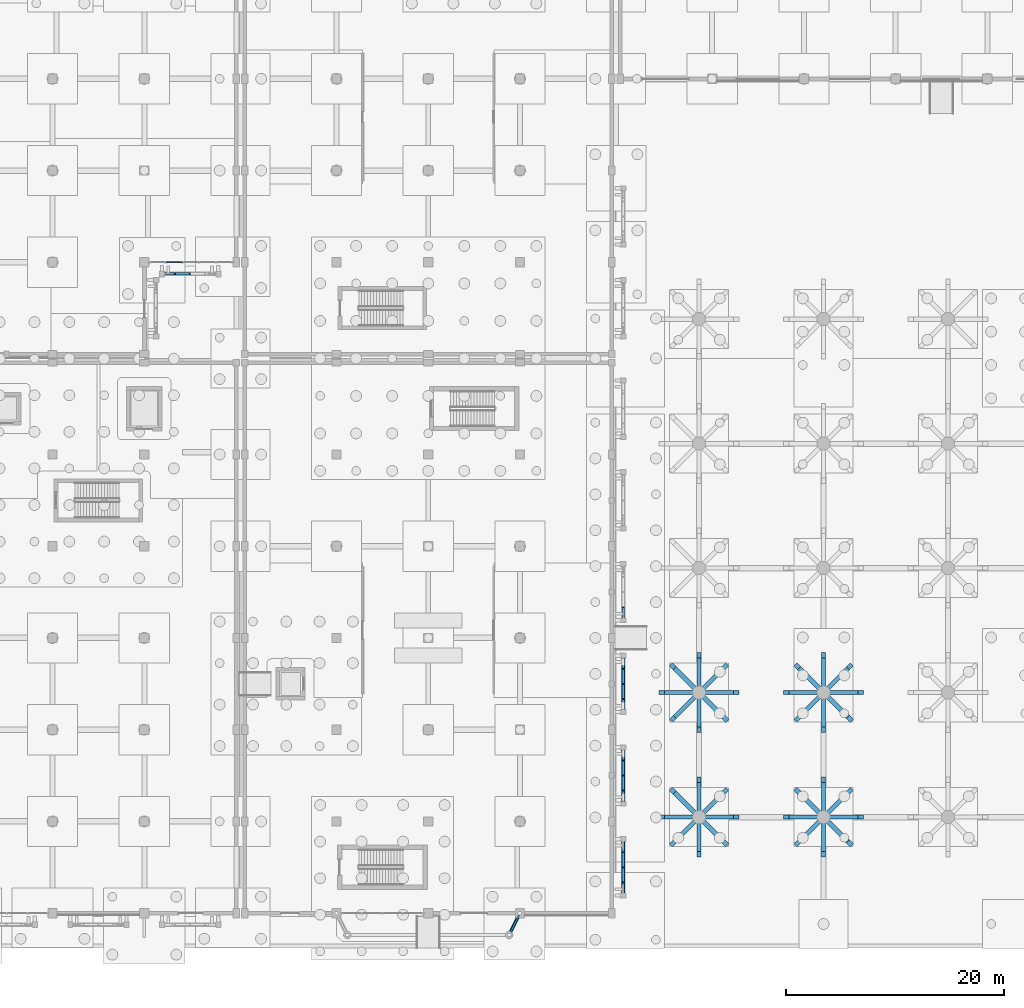
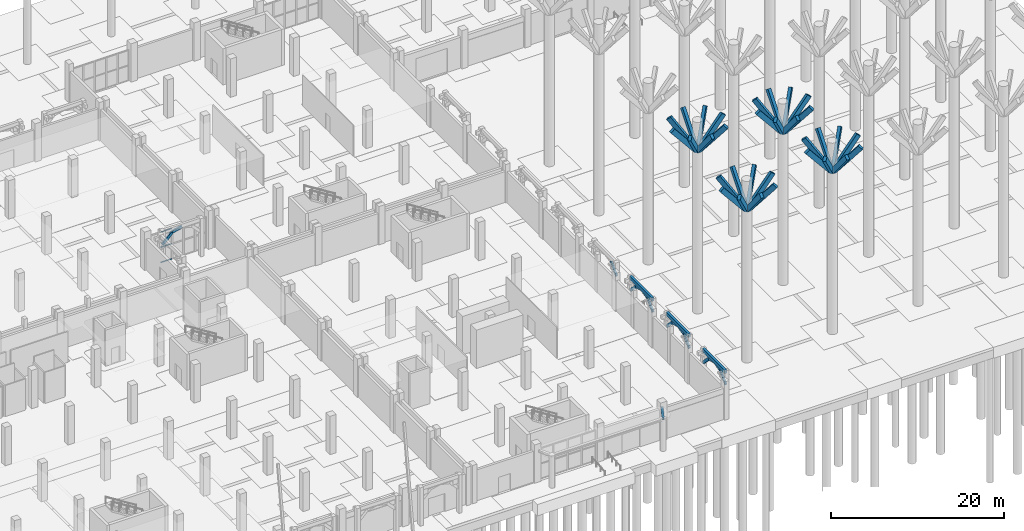
# One storey, part 24 of 98: 51 members, 4 beams, 1 element without a shape of its own.
"""IFC4 building model written with IfcOpenShell, lengths in metres."""

from ifc_helpers import new_model, si_unit, direction, frame, origin, origin_2d, place, context, subcontext, project, spatial, rectangle, hollow_rectangle, i_section, extrude, material, layer, layer_set, material_profile, profile_set, type_object, element, aggregate, save


model = new_model("IFC4")

# Units and contexts
model_context = context("Model", 3, precision=1e-05, world=origin(), true_north=direction((0.0, 1.0)))
body_context = subcontext(model_context, "Body", "Model", "MODEL_VIEW")
ifc_project = project(units=[si_unit("LENGTHUNIT", "METRE"), si_unit("AREAUNIT", "SQUARE_METRE"), si_unit("VOLUMEUNIT", "CUBIC_METRE"), si_unit("PLANEANGLEUNIT", "RADIAN"), si_unit("MASSUNIT", "GRAM", prefix="KILO")], contexts=[model_context])

# Site, building, storey
site_placement = place(None, origin())
site = spatial("IfcSite", under=ifc_project, at=site_placement, CompositionType="ELEMENT")
building_placement = place(site_placement, origin())
building = spatial("IfcBuilding", under=site, at=building_placement, Name="Xazarin Passage Department Store", CompositionType="ELEMENT")
storey_placement = place(building_placement, origin())
storey = spatial("IfcBuildingStorey", under=building, at=storey_placement, Name="L00", CompositionType="ELEMENT", Elevation=0.0)

# Curtain wall, members
ifc_material_1 = material(Name="Bronze anodised aluminium", Category="aluminium")
ifc_layer = layer(ifc_material_1, 0.179931640625)
ifc_layer_set = layer_set([ifc_layer], Name="Bronze anodised aluminium")
curtain_wall_type = type_object("IfcCurtainWallType", Name="ARC-CW-VIT1", PredefinedType="NOTDEFINED", material=ifc_layer_set)
curtain_wall_placement = place(storey_placement, origin())
curtain_wall = element("IfcCurtainWall", 1, at=curtain_wall_placement, inside=storey, type_object=curtain_wall_type, Name="L00 V1 Curtain Wall 001", PredefinedType="NOTDEFINED")
ifc_material_profile_1 = material_profile(ifc_material_1, hollow_rectangle(XDim=0.074951171875, YDim=0.159912109375, WallThickness=0.00439453125, at=origin_2d()), Name="ALU 75x160")
ifc_profile_set_1 = profile_set([ifc_material_profile_1], Name="Bronze anodised aluminium")
member_type_1 = type_object("IfcMemberType", Name="ARC-CWT-75x160", PredefinedType="USERDEFINED", material=ifc_profile_set_1)
member_1_placement = place(storey_placement, frame((60.797607421875, 59.60009765625, 0.03759765625), z_axis=(1.0, 0.0, 0.0), x_axis=(0.0, 1.0, 0.0)))
member_1 = element("IfcMember", 2, at=member_1_placement, type_object=member_type_1, Name="CW1 transom 2.1", ObjectType="TRANSOM", PredefinedType="USERDEFINED", context=body_context, shape_type="SweptSolid", body=[
    extrude(hollow_rectangle(XDim=0.074951171875, YDim=0.159912109375, WallThickness=0.00439453125, at=origin_2d()), origin(), (0.0, 0.0, 1.0), 1.4599609375),
])
member_2_placement = place(storey_placement, frame((60.797607421875, 59.60009765625, 2.175048828125), z_axis=(1.0, 0.0, 0.0), x_axis=(0.0, 1.0, 0.0)))
member_2 = element("IfcMember", 3, at=member_2_placement, type_object=member_type_1, Name="CW1 transom 2.2", ObjectType="TRANSOM", PredefinedType="USERDEFINED", context=body_context, shape_type="SweptSolid", body=[
    extrude(hollow_rectangle(XDim=0.074951171875, YDim=0.159912109375, WallThickness=0.00439453125, at=origin_2d()), origin(), (0.0, 0.0, 1.0), 1.4599609375),
])
member_3_placement = place(storey_placement, frame((60.797607421875, 59.60009765625, 4.3125), z_axis=(1.0, 0.0, 0.0), x_axis=(0.0, 1.0, 0.0)))
member_3 = element("IfcMember", 4, at=member_3_placement, type_object=member_type_1, Name="CW1 transom 2.3", ObjectType="TRANSOM", PredefinedType="USERDEFINED", context=body_context, shape_type="SweptSolid", body=[
    extrude(hollow_rectangle(XDim=0.074951171875, YDim=0.159912109375, WallThickness=0.00439453125, at=origin_2d()), origin(), (0.0, 0.0, 1.0), 1.4599609375),
])
aggregate(curtain_wall, [member_1, member_2, member_3])

# Beams
ifc_material_2 = material(Name="Steel S355", Category="steel")
ifc_material_profile_2 = material_profile(ifc_material_2, i_section(OverallWidth=0.300048828125, OverallDepth=0.31005859375, WebThickness=0.009033203125, FlangeThickness=0.015380859375, FilletRadius=0.027099609375, at=origin_2d()), Name="HEA 320")
ifc_profile_set_2 = profile_set([ifc_material_profile_2], Name="Steel S355")
beam_type_1 = type_object("IfcBeamType", Name="STR-BM-CAN320", PredefinedType="BEAM", material=ifc_profile_set_2)
beam_1_placement = place(storey_placement, frame((93.199951171875, 0.0, 4.375), z_axis=(-0.4472135955, -0.894427191, 0.0), x_axis=(0.894427191, -0.4472135955, 0.0)))
element("IfcBeam", 5, at=beam_1_placement, inside=storey, type_object=beam_type_1, Name="Entrance Canopy Frame Beam CN2-2", PredefinedType="BEAM", context=body_context, shape_type="SweptSolid", body=[
    extrude(i_section(OverallWidth=0.300048828125, OverallDepth=0.31005859375, WebThickness=0.009033203125, FlangeThickness=0.015380859375, FilletRadius=0.027099609375, at=origin_2d()), origin(), (0.0, 0.0, 1.0), 2.236083984375),
])
ifc_material_3 = material(Name="Concrete C35/45", Category="concrete")
ifc_material_profile_3 = material_profile(ifc_material_3, rectangle(XDim=0.300048828125, YDim=0.5, at=origin_2d()), Name="RC 300x500")
ifc_profile_set_3 = profile_set([ifc_material_profile_3], Name="Concrete C35/45")
beam_type_2 = type_object("IfcBeamType", Name="STR-BM-LN300x500", PredefinedType="LINTEL", material=ifc_profile_set_3)
for number, where, z_axis, x_axis, name in (
    (6, (102.64990234375, 1.6201171875, 5.14990234375), (0.0, 1.0, 0.0), (-1.0, 0.0, 0.0), "L00 V2S Colonnade Spandrel Beam 018"),
    (7, (102.64990234375, 10.02001953125, 5.14990234375), (0.0, 1.0, 0.0), (-1.0, 0.0, 0.0), "L00 V2S Colonnade Spandrel Beam 019"),
):
    element("IfcBeam", number, at=place(storey_placement, frame(where, z_axis=z_axis, x_axis=x_axis)), inside=storey, type_object=beam_type_2, Name=name, PredefinedType="LINTEL", context=body_context, shape_type="SweptSolid", body=[
        extrude(rectangle(XDim=0.300048828125, YDim=0.5, at=origin_2d()), origin(), (0.0, 0.0, 1.0), 5.159912109375),
    ])
beam_2_placement = place(storey_placement, frame((102.64990234375, 18.419921875, 5.14990234375), z_axis=(0.0, 1.0, 0.0), x_axis=(-1.0, 0.0, 0.0)))
element("IfcBeam", 8, at=beam_2_placement, inside=storey, type_object=beam_type_2, Name="L00 V2S Colonnade Spandrel Beam 020", PredefinedType="LINTEL", context=body_context, shape_type="SweptSolid", body=[
    extrude(rectangle(XDim=0.300048828125, YDim=0.5, at=origin_2d()), origin(), (0.0, 0.0, 1.0), 5.16015625),
])

# Members
ifc_material_4 = material(Name="Concrete C40/50", Category="concrete")
ifc_material_profile_4 = material_profile(ifc_material_4, rectangle(XDim=0.199951171875, YDim=0.360107421875, at=origin_2d()), Name="RC 200x360")
ifc_profile_set_4 = profile_set([ifc_material_profile_4], Name="Concrete C40/50")
member_type_2 = type_object("IfcMemberType", Name="STR-MEM-ARC360", PredefinedType="CHORD", material=ifc_profile_set_4)
member_4_placement = place(storey_placement, frame((60.419921875, 58.550048828125, 3.330078125), z_axis=(0.693460080602, 0.0, 0.720495049679), x_axis=(0.0, 1.0, 0.0)))
element("IfcMember", 9, at=member_4_placement, inside=storey, type_object=member_type_2, Name="L00 V1 Pierced Lattice Curved Arch 006.1", PredefinedType="CHORD", context=body_context, shape_type="SweptSolid", body=[
    extrude(rectangle(XDim=0.199951171875, YDim=0.360107421875, at=origin_2d()), origin(), (0.0, 0.0, 1.0), 1.8603515625),
])
member_5_placement = place(storey_placement, frame((61.7099609375, 58.550048828125, 4.67041015625), z_axis=(0.972393983317, 0.0, 0.233345111818), x_axis=(0.0, 1.0, 0.0)))
element("IfcMember", 10, at=member_5_placement, inside=storey, type_object=member_type_2, Name="L00 V1 Pierced Lattice Curved Arch 006.2", PredefinedType="CHORD", context=body_context, shape_type="SweptSolid", body=[
    extrude(rectangle(XDim=0.199951171875, YDim=0.360107421875, at=origin_2d()), origin(), (0.0, 0.0, 1.0), 1.32666015625),
])
member_6_placement = place(storey_placement, frame((102.64990234375, 1.6201171875, 3.330078125), z_axis=(0.0, 0.693391944082, 0.720560623322), x_axis=(-1.0, 0.0, 0.0)))
element("IfcMember", 11, at=member_6_placement, inside=storey, type_object=member_type_2, Name="L00 V2S Pierced Lattice Curved Arch 018.1", PredefinedType="CHORD", context=body_context, shape_type="SweptSolid", body=[
    extrude(rectangle(XDim=0.199951171875, YDim=0.360107421875, at=origin_2d()), origin(), (0.0, 0.0, 1.0), 1.860107421875),
])
for number, where, z_axis, x_axis, name in (
    (12, (102.64990234375, 2.909912109375, 4.67041015625), (0.0, 0.972393983317, 0.233345111818), (-1.0, 0.0, 0.0), "L00 V2S Pierced Lattice Curved Arch 018.2"),
    (13, (102.64990234375, 4.199951171875, 4.97998046875), (0.0, 0.972393983317, -0.233345111818), (-1.0, 0.0, 0.0), "L00 V2S Pierced Lattice Curved Arch 018.3"),
):
    element("IfcMember", number, at=place(storey_placement, frame(where, z_axis=z_axis, x_axis=x_axis)), inside=storey, type_object=member_type_2, Name=name, PredefinedType="CHORD", context=body_context, shape_type="SweptSolid", body=[
        extrude(rectangle(XDim=0.199951171875, YDim=0.360107421875, at=origin_2d()), origin(), (0.0, 0.0, 1.0), 1.32666015625),
    ])
for number, where, z_axis, x_axis, name in (
    (14, (102.64990234375, 5.489990234375, 4.67041015625), (0.0, 0.693460080602, -0.720495049679), (-1.0, 0.0, 0.0), "L00 V2S Pierced Lattice Curved Arch 018.4"),
    (15, (102.64990234375, 10.02001953125, 3.330078125), (0.0, 0.693460080602, 0.720495049679), (-1.0, 0.0, 0.0), "L00 V2S Pierced Lattice Curved Arch 019.1"),
):
    element("IfcMember", number, at=place(storey_placement, frame(where, z_axis=z_axis, x_axis=x_axis)), inside=storey, type_object=member_type_2, Name=name, PredefinedType="CHORD", context=body_context, shape_type="SweptSolid", body=[
        extrude(rectangle(XDim=0.199951171875, YDim=0.360107421875, at=origin_2d()), origin(), (0.0, 0.0, 1.0), 1.8603515625),
    ])
member_7_placement = place(storey_placement, frame((102.64990234375, 11.31005859375, 4.67041015625), z_axis=(0.0, 0.972393983317, 0.233345111818), x_axis=(-1.0, 0.0, 0.0)))
element("IfcMember", 16, at=member_7_placement, inside=storey, type_object=member_type_2, Name="L00 V2S Pierced Lattice Curved Arch 019.2", PredefinedType="CHORD", context=body_context, shape_type="SweptSolid", body=[
    extrude(rectangle(XDim=0.199951171875, YDim=0.360107421875, at=origin_2d()), origin(), (0.0, 0.0, 1.0), 1.32666015625),
])
member_8_placement = place(storey_placement, frame((102.64990234375, 12.60009765625, 4.97998046875), z_axis=(0.0, 0.972383960415, -0.233386875224), x_axis=(-1.0, 0.0, 0.0)))
element("IfcMember", 17, at=member_8_placement, inside=storey, type_object=member_type_2, Name="L00 V2S Pierced Lattice Curved Arch 019.3", PredefinedType="CHORD", context=body_context, shape_type="SweptSolid", body=[
    extrude(rectangle(XDim=0.199951171875, YDim=0.360107421875, at=origin_2d()), origin(), (0.0, 0.0, 1.0), 1.326416015625),
])
for number, where, z_axis, x_axis, name in (
    (18, (102.64990234375, 13.889892578125, 4.67041015625), (0.0, 0.693460080602, -0.720495049679), (-1.0, 0.0, 0.0), "L00 V2S Pierced Lattice Curved Arch 019.4"),
    (19, (102.64990234375, 18.419921875, 3.330078125), (0.0, 0.693460080602, 0.720495049679), (-1.0, 0.0, 0.0), "L00 V2S Pierced Lattice Curved Arch 020.1"),
):
    element("IfcMember", number, at=place(storey_placement, frame(where, z_axis=z_axis, x_axis=x_axis)), inside=storey, type_object=member_type_2, Name=name, PredefinedType="CHORD", context=body_context, shape_type="SweptSolid", body=[
        extrude(rectangle(XDim=0.199951171875, YDim=0.360107421875, at=origin_2d()), origin(), (0.0, 0.0, 1.0), 1.8603515625),
    ])
for number, where, z_axis, x_axis, name in (
    (20, (102.64990234375, 19.7099609375, 4.67041015625), (0.0, 0.972393983317, 0.233345111818), (-1.0, 0.0, 0.0), "L00 V2S Pierced Lattice Curved Arch 020.2"),
    (21, (102.64990234375, 21.0, 4.97998046875), (0.0, 0.972393983317, -0.233345111818), (-1.0, 0.0, 0.0), "L00 V2S Pierced Lattice Curved Arch 020.3"),
):
    element("IfcMember", number, at=place(storey_placement, frame(where, z_axis=z_axis, x_axis=x_axis)), inside=storey, type_object=member_type_2, Name=name, PredefinedType="CHORD", context=body_context, shape_type="SweptSolid", body=[
        extrude(rectangle(XDim=0.199951171875, YDim=0.360107421875, at=origin_2d()), origin(), (0.0, 0.0, 1.0), 1.32666015625),
    ])
for number, where, z_axis, x_axis, name in (
    (22, (102.64990234375, 22.2900390625, 4.67041015625), (0.0, 0.693460080602, -0.720495049679), (-1.0, 0.0, 0.0), "L00 V2S Pierced Lattice Curved Arch 020.4"),
    (23, (102.64990234375, 26.820068359375, 3.330078125), (0.0, 0.693460080602, 0.720495049679), (-1.0, 0.0, 0.0), "L00 V2S Pierced Lattice Curved Arch 021.1"),
):
    element("IfcMember", number, at=place(storey_placement, frame(where, z_axis=z_axis, x_axis=x_axis)), inside=storey, type_object=member_type_2, Name=name, PredefinedType="CHORD", context=body_context, shape_type="SweptSolid", body=[
        extrude(rectangle(XDim=0.199951171875, YDim=0.360107421875, at=origin_2d()), origin(), (0.0, 0.0, 1.0), 1.8603515625),
    ])
ifc_material_profile_5 = material_profile(ifc_material_2, hollow_rectangle(XDim=0.14990234375, YDim=0.25, WallThickness=0.010009765625, at=origin_2d()), Name="RHS 250x150x10")
ifc_profile_set_5 = profile_set([ifc_material_profile_5], Name="Steel S355")
member_type_3 = type_object("IfcMemberType", Name="STR-MEM-CH250", PredefinedType="CHORD", material=ifc_profile_set_5)
member_9_placement = place(storey_placement, frame((93.199951171875, 0.0, 4.3701171875), z_axis=(-0.4472135955, -0.894427191, 0.0), x_axis=(0.894427191, -0.4472135955, 0.0)))
element("IfcMember", 24, at=member_9_placement, inside=storey, type_object=member_type_3, Name="Entrance Canopy Outrigger Chord CN2-2", PredefinedType="CHORD", context=body_context, shape_type="SweptSolid", body=[
    extrude(hollow_rectangle(XDim=0.14990234375, YDim=0.25, WallThickness=0.010009765625, at=origin_2d()), origin(), (0.0, 0.0, 1.0), 2.236083984375),
])
ifc_material_profile_6 = material_profile(ifc_material_4, rectangle(XDim=0.39990234375, YDim=0.64990234375, at=origin_2d()), Name="RC 400x650")
ifc_profile_set_6 = profile_set([ifc_material_profile_6], Name="Concrete C40/50")
member_type_4 = type_object("IfcMemberType", Name="STR-MEM-UMB400", PredefinedType="BRACE", material=ifc_profile_set_6)
for number, where, z_axis, x_axis, name in (
    (25, (109.820068359375, 8.800048828125, 21.3798828125), (0.634369600905, 0.0, 0.773029889103), (0.0, 1.0, 0.0), "Umbrella UM5 Flared Sculptural Capital Strut E"),
    (26, (109.3798828125, 8.800048828125, 21.3798828125), (-0.634369600905, 0.0, 0.773029889103), (0.0, -1.0, 0.0), "Umbrella UM5 Flared Sculptural Capital Strut W"),
    (27, (109.60009765625, 9.02001953125, 21.3798828125), (0.0, 0.634369600905, 0.773029889103), (-1.0, 0.0, 0.0), "Umbrella UM5 Flared Sculptural Capital Strut N"),
):
    element("IfcMember", number, at=place(storey_placement, frame(where, z_axis=z_axis, x_axis=x_axis)), inside=storey, type_object=member_type_4, Name=name, PredefinedType="BRACE", context=body_context, shape_type="SweptSolid", body=[
        extrude(rectangle(XDim=0.39990234375, YDim=0.64990234375, at=origin_2d()), origin(), (0.0, 0.0, 1.0), 5.0126953125),
    ])
member_10_placement = place(storey_placement, frame((109.60009765625, 8.580078125, 21.3798828125), z_axis=(0.0, -0.63439870386, 0.773006005501), x_axis=(1.0, 0.0, 0.0)))
element("IfcMember", 28, at=member_10_placement, inside=storey, type_object=member_type_4, Name="Umbrella UM5 Flared Sculptural Capital Strut S", PredefinedType="BRACE", context=body_context, shape_type="SweptSolid", body=[
    extrude(rectangle(XDim=0.39990234375, YDim=0.64990234375, at=origin_2d()), origin(), (0.0, 0.0, 1.0), 5.012939453125),
])
for number, where, z_axis, x_axis, name in (
    (29, (109.755615234375, 8.95556640625, 21.3798828125), (0.448565130781, 0.448565130781, 0.77303211246), (-0.707106781187, 0.707106781187, 0.0), "Umbrella UM5 Flared Sculptural Capital Strut NE"),
    (30, (109.4443359375, 8.95556640625, 21.3798828125), (-0.448565130781, 0.448565130781, 0.77303211246), (-0.707106781187, -0.707106781187, 0.0), "Umbrella UM5 Flared Sculptural Capital Strut NW"),
    (31, (109.755615234375, 8.644287109375, 21.3798828125), (0.448565130781, -0.448565130781, 0.77303211246), (0.707106781187, 0.707106781187, 0.0), "Umbrella UM5 Flared Sculptural Capital Strut SE"),
    (32, (109.4443359375, 8.644287109375, 21.3798828125), (-0.448565130781, -0.448565130781, 0.77303211246), (0.707106781187, -0.707106781187, 0.0), "Umbrella UM5 Flared Sculptural Capital Strut SW"),
    (33, (121.219970703125, 8.800048828125, 22.780029296875), (0.634369600905, 0.0, 0.773029889103), (0.0, 1.0, 0.0), "Umbrella UM6 Flared Sculptural Capital Strut E"),
    (34, (120.780029296875, 8.800048828125, 22.780029296875), (-0.634369600905, 0.0, 0.773029889103), (0.0, -1.0, 0.0), "Umbrella UM6 Flared Sculptural Capital Strut W"),
    (35, (121.0, 9.02001953125, 22.780029296875), (0.0, 0.634369600905, 0.773029889103), (-1.0, 0.0, 0.0), "Umbrella UM6 Flared Sculptural Capital Strut N"),
):
    element("IfcMember", number, at=place(storey_placement, frame(where, z_axis=z_axis, x_axis=x_axis)), inside=storey, type_object=member_type_4, Name=name, PredefinedType="BRACE", context=body_context, shape_type="SweptSolid", body=[
        extrude(rectangle(XDim=0.39990234375, YDim=0.64990234375, at=origin_2d()), origin(), (0.0, 0.0, 1.0), 5.0126953125),
    ])
for number, where, z_axis, x_axis, name in (
    (36, (121.0, 8.580078125, 22.780029296875), (0.0, -0.63439870386, 0.773006005501), (1.0, 0.0, 0.0), "Umbrella UM6 Flared Sculptural Capital Strut S"),
    (37, (121.155517578125, 8.95556640625, 22.780029296875), (0.448604033853, 0.448555330777, 0.77301522368), (-0.707068394238, 0.707145166051, 0.0), "Umbrella UM6 Flared Sculptural Capital Strut NE"),
    (38, (120.844482421875, 8.95556640625, 22.780029296875), (-0.448604033853, 0.448555330777, 0.77301522368), (-0.707068394238, -0.707145166051, 0.0), "Umbrella UM6 Flared Sculptural Capital Strut NW"),
    (39, (121.155517578125, 8.644287109375, 22.780029296875), (0.448604033853, -0.448555330777, 0.77301522368), (0.707068394238, 0.707145166051, 0.0), "Umbrella UM6 Flared Sculptural Capital Strut SE"),
    (40, (120.844482421875, 8.644287109375, 22.780029296875), (-0.448604033853, -0.448555330777, 0.77301522368), (0.707068394238, -0.707145166051, 0.0), "Umbrella UM6 Flared Sculptural Capital Strut SW"),
):
    element("IfcMember", number, at=place(storey_placement, frame(where, z_axis=z_axis, x_axis=x_axis)), inside=storey, type_object=member_type_4, Name=name, PredefinedType="BRACE", context=body_context, shape_type="SweptSolid", body=[
        extrude(rectangle(XDim=0.39990234375, YDim=0.64990234375, at=origin_2d()), origin(), (0.0, 0.0, 1.0), 5.012939453125),
    ])
for number, where, z_axis, x_axis, name in (
    (41, (109.820068359375, 20.199951171875, 22.780029296875), (0.634369600905, 0.0, 0.773029889103), (0.0, 1.0, 0.0), "Umbrella UM10 Flared Sculptural Capital Strut E"),
    (42, (109.3798828125, 20.199951171875, 22.780029296875), (-0.634369600905, 0.0, 0.773029889103), (0.0, -1.0, 0.0), "Umbrella UM10 Flared Sculptural Capital Strut W"),
):
    element("IfcMember", number, at=place(storey_placement, frame(where, z_axis=z_axis, x_axis=x_axis)), inside=storey, type_object=member_type_4, Name=name, PredefinedType="BRACE", context=body_context, shape_type="SweptSolid", body=[
        extrude(rectangle(XDim=0.39990234375, YDim=0.64990234375, at=origin_2d()), origin(), (0.0, 0.0, 1.0), 5.0126953125),
    ])
member_11_placement = place(storey_placement, frame((109.60009765625, 20.419921875, 22.780029296875), z_axis=(0.0, 0.63439870386, 0.773006005501), x_axis=(-1.0, 0.0, 0.0)))
element("IfcMember", 43, at=member_11_placement, inside=storey, type_object=member_type_4, Name="Umbrella UM10 Flared Sculptural Capital Strut N", PredefinedType="BRACE", context=body_context, shape_type="SweptSolid", body=[
    extrude(rectangle(XDim=0.39990234375, YDim=0.64990234375, at=origin_2d()), origin(), (0.0, 0.0, 1.0), 5.012939453125),
])
for number, where, z_axis, x_axis, name in (
    (44, (109.60009765625, 19.97998046875, 22.780029296875), (0.0, -0.634369600905, 0.773029889103), (1.0, 0.0, 0.0), "Umbrella UM10 Flared Sculptural Capital Strut S"),
    (45, (109.755615234375, 20.355712890625, 22.780029296875), (0.448565130781, 0.448565130781, 0.77303211246), (-0.707106781187, 0.707106781187, 0.0), "Umbrella UM10 Flared Sculptural Capital Strut NE"),
    (46, (109.4443359375, 20.355712890625, 22.780029296875), (-0.448565130781, 0.448565130781, 0.77303211246), (-0.707106781187, -0.707106781187, 0.0), "Umbrella UM10 Flared Sculptural Capital Strut NW"),
    (47, (109.755615234375, 20.04443359375, 22.780029296875), (0.448565130781, -0.448565130781, 0.77303211246), (0.707106781187, 0.707106781187, 0.0), "Umbrella UM10 Flared Sculptural Capital Strut SE"),
    (48, (109.4443359375, 20.04443359375, 22.780029296875), (-0.448565130781, -0.448565130781, 0.77303211246), (0.707106781187, -0.707106781187, 0.0), "Umbrella UM10 Flared Sculptural Capital Strut SW"),
    (49, (121.219970703125, 20.199951171875, 21.3798828125), (0.634369600905, 0.0, 0.773029889103), (0.0, 1.0, 0.0), "Umbrella UM11 Flared Sculptural Capital Strut E"),
    (50, (120.780029296875, 20.199951171875, 21.3798828125), (-0.634369600905, 0.0, 0.773029889103), (0.0, -1.0, 0.0), "Umbrella UM11 Flared Sculptural Capital Strut W"),
):
    element("IfcMember", number, at=place(storey_placement, frame(where, z_axis=z_axis, x_axis=x_axis)), inside=storey, type_object=member_type_4, Name=name, PredefinedType="BRACE", context=body_context, shape_type="SweptSolid", body=[
        extrude(rectangle(XDim=0.39990234375, YDim=0.64990234375, at=origin_2d()), origin(), (0.0, 0.0, 1.0), 5.0126953125),
    ])
member_12_placement = place(storey_placement, frame((121.0, 20.419921875, 21.3798828125), z_axis=(0.0, 0.63439870386, 0.773006005501), x_axis=(-1.0, 0.0, 0.0)))
element("IfcMember", 51, at=member_12_placement, inside=storey, type_object=member_type_4, Name="Umbrella UM11 Flared Sculptural Capital Strut N", PredefinedType="BRACE", context=body_context, shape_type="SweptSolid", body=[
    extrude(rectangle(XDim=0.39990234375, YDim=0.64990234375, at=origin_2d()), origin(), (0.0, 0.0, 1.0), 5.012939453125),
])
member_13_placement = place(storey_placement, frame((121.0, 19.97998046875, 21.3798828125), z_axis=(0.0, -0.634369600905, 0.773029889103), x_axis=(1.0, 0.0, 0.0)))
element("IfcMember", 52, at=member_13_placement, inside=storey, type_object=member_type_4, Name="Umbrella UM11 Flared Sculptural Capital Strut S", PredefinedType="BRACE", context=body_context, shape_type="SweptSolid", body=[
    extrude(rectangle(XDim=0.39990234375, YDim=0.64990234375, at=origin_2d()), origin(), (0.0, 0.0, 1.0), 5.0126953125),
])
for number, where, z_axis, x_axis, name in (
    (53, (121.155517578125, 20.355712890625, 21.3798828125), (0.448604033853, 0.448555330777, 0.77301522368), (-0.707068394238, 0.707145166051, 0.0), "Umbrella UM11 Flared Sculptural Capital Strut NE"),
    (54, (120.844482421875, 20.355712890625, 21.3798828125), (-0.448604033853, 0.448555330777, 0.77301522368), (-0.707068394238, -0.707145166051, 0.0), "Umbrella UM11 Flared Sculptural Capital Strut NW"),
    (55, (121.155517578125, 20.04443359375, 21.3798828125), (0.448604033853, -0.448555330777, 0.77301522368), (0.707068394238, 0.707145166051, 0.0), "Umbrella UM11 Flared Sculptural Capital Strut SE"),
    (56, (120.844482421875, 20.04443359375, 21.3798828125), (-0.448604033853, -0.448555330777, 0.77301522368), (0.707068394238, -0.707145166051, 0.0), "Umbrella UM11 Flared Sculptural Capital Strut SW"),
):
    element("IfcMember", number, at=place(storey_placement, frame(where, z_axis=z_axis, x_axis=x_axis)), inside=storey, type_object=member_type_4, Name=name, PredefinedType="BRACE", context=body_context, shape_type="SweptSolid", body=[
        extrude(rectangle(XDim=0.39990234375, YDim=0.64990234375, at=origin_2d()), origin(), (0.0, 0.0, 1.0), 5.012939453125),
    ])

save(model, "model.ifc")
